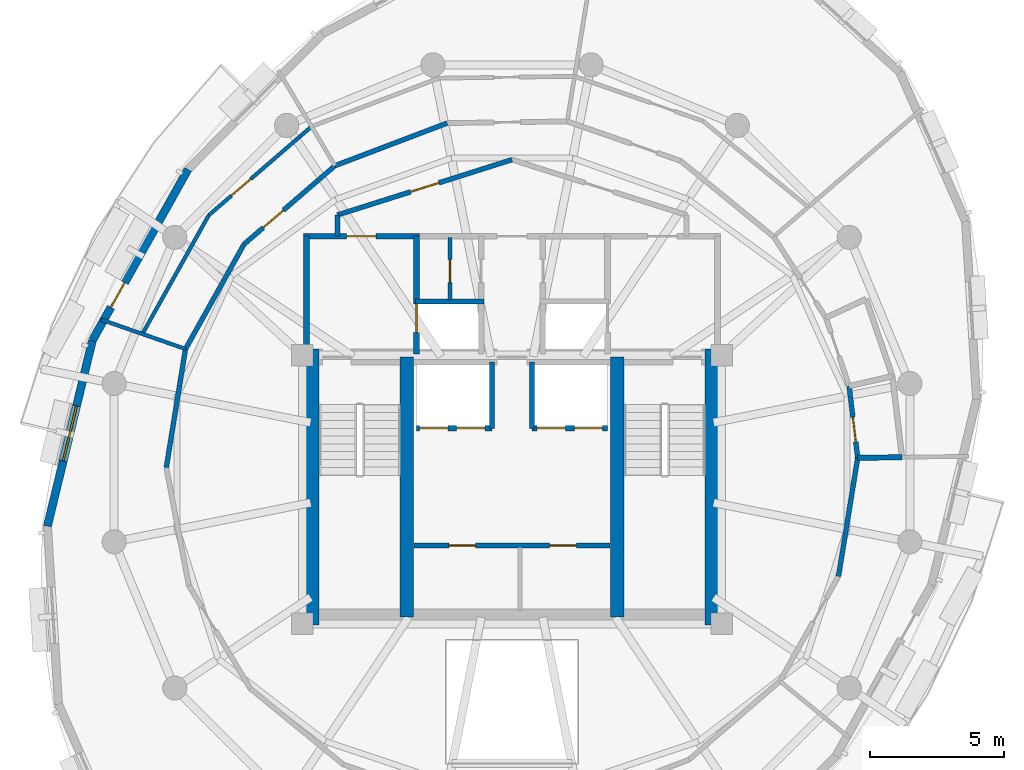
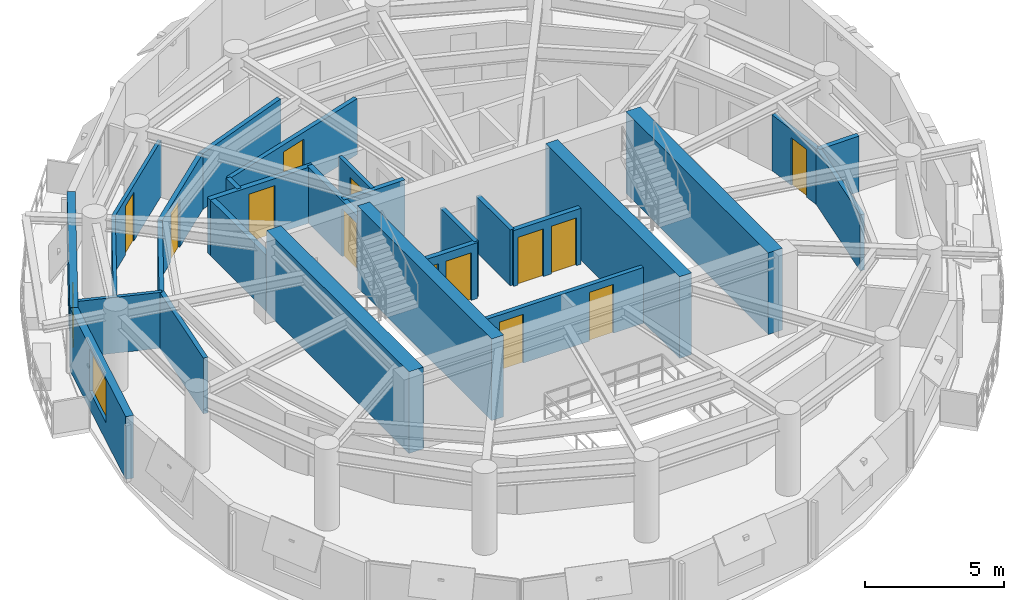
# One storey, part 7 of 11: 28 walls, 14 doors, 1 window, 15 openings.
"""IFC4 building model written with IfcOpenShell, lengths in metres."""

from ifc_helpers import new_model, si_unit, direction, frame, frame_2d, origin, place, context, subcontext, project, spatial, rectangle, extrude, material, layer, layer_set, type_object, element, fill, save


model = new_model("IFC4")

# Units and contexts
model_context = context("Model", 3, precision=1e-05, world=origin(), true_north=direction((0.0, 1.0)))
body_context = subcontext(model_context, "Body", "Model", "MODEL_VIEW")
ifc_project = project(units=[si_unit("LENGTHUNIT", "METRE"), si_unit("AREAUNIT", "SQUARE_METRE"), si_unit("VOLUMEUNIT", "CUBIC_METRE"), si_unit("PLANEANGLEUNIT", "RADIAN"), si_unit("MASSUNIT", "GRAM", prefix="KILO"), si_unit("THERMODYNAMICTEMPERATUREUNIT", "KELVIN"), si_unit("POWERUNIT", "WATT")], contexts=[model_context])

# Site, building, storey
site_placement = place(None, origin())
site = spatial("IfcSite", under=ifc_project, at=site_placement, CompositionType="ELEMENT")
building_placement = place(site_placement, origin())
building = spatial("IfcBuilding", under=site, at=building_placement, Name="Ocrelia Relay Tower", CompositionType="ELEMENT")
storey_placement = place(building_placement, frame((0.0, 0.0, 280.800048828125)))
storey = spatial("IfcBuildingStorey", under=building, at=storey_placement, Name="L70", CompositionType="ELEMENT", Elevation=280.800048828125)

# Walls
ifc_material_1 = material(Name="Concrete C50/60", Category="concrete")
ifc_layer_1 = layer(ifc_material_1, 0.60009765625, Name="Concrete C50/60")
ifc_layer_set_1 = layer_set([ifc_layer_1], Name="Concrete C50/60")
wall_type_1 = type_object("IfcWallType", Name="CW-CORE-600B", PredefinedType="SHEAR", material=ifc_layer_set_1)
for number, where, z_axis, x_axis, name in (
    (1, (26.52197265625, 19.9619140625, 0.0), (0.0, 0.0, 1.0), (0.0, 1.0, 0.0), "L70 Core Shear Wall W"),
    (2, (41.488037109375, 19.9619140625, 0.0), (0.0, 0.0, 1.0), (0.0, 1.0, 0.0), "L70 Core Shear Wall E"),
):
    element("IfcWall", number, at=place(storey_placement, frame(where, z_axis=z_axis, x_axis=x_axis)), inside=storey, type_object=wall_type_1, Name=name, PredefinedType="SHEAR", context=body_context, shape_type="SweptSolid", body=[
        extrude(rectangle(XDim=10.276123046875, YDim=0.60009765625, at=frame_2d((5.13818359375, 0.0))), origin(), (0.0, 0.0, 1.0), 3.599853515625),
    ])
for number, where, z_axis, x_axis, name in (
    (3, (30.087890625, 20.261962890625, 0.0), (0.0, 0.0, 1.0), (0.0, 1.0, 0.0), "L70 Core Shear Wall SPW"),
    (4, (37.922119140625, 20.261962890625, 0.0), (0.0, 0.0, 1.0), (0.0, 1.0, 0.0), "L70 Core Shear Wall SPE"),
):
    element("IfcWall", number, at=place(storey_placement, frame(where, z_axis=z_axis, x_axis=x_axis)), inside=storey, type_object=wall_type_1, Name=name, PredefinedType="SHEAR", context=body_context, shape_type="SweptSolid", body=[
        extrude(rectangle(XDim=9.676025390625, YDim=0.5, at=frame_2d((4.837890625, 0.0))), origin(), (0.0, 0.0, 1.0), 3.599853515625),
    ])

# Wall, openings, doors
ifc_material_2 = material(Name="Gypsum Fireboard Partition EI60", Category="gypsum")
ifc_layer_2 = layer(ifc_material_2, 0.179931640625, Name="Gypsum Fireboard Partition EI60")
ifc_layer_set_2 = layer_set([ifc_layer_2], Name="Gypsum Fireboard Partition EI60")
wall_type_2 = type_object("IfcWallType", Name="W-CORR-EI60-180", PredefinedType="PARTITIONING", material=ifc_layer_set_2)
wall_1_placement = place(storey_placement, frame((30.35009765625, 22.919921875, 0.0), z_axis=(0.0, 0.0, 1.0), x_axis=(1.0, 0.0, 0.0)))
wall_1 = element("IfcWall", 5, at=wall_1_placement, inside=storey, type_object=wall_type_2, Name="L70 Reclaimed Core Room Partition", PredefinedType="PARTITIONING", context=body_context, shape_type="SweptSolid", body=[
    extrude(rectangle(XDim=7.2998046875, YDim=0.179931640625, at=frame_2d((3.64990234375, 0.0))), origin(), (0.0, 0.0, 1.0), 2.4599609375),
])
opening_1_placement = place(wall_1_placement, frame((1.300048828125, 0.0, 0.0)))
opening_1 = element("IfcOpeningElement", 6, at=opening_1_placement, cuts=wall_1, Name="Opening D-RM100", PredefinedType="OPENING", context=body_context, shape_type="SweptSolid", body=[
    extrude(rectangle(XDim=1.0, YDim=2.14990234375, at=frame_2d((0.5, 1.074951171875))), frame((0.0, 0.10009765625, 0.0), z_axis=(0.0, -1.0, 0.0), x_axis=(1.0, 0.0, 0.0)), (0.0, 0.0, 1.0), 0.199951171875),
])
opening_2_placement = place(wall_1_placement, frame((5.050048828125, 0.0, 0.0)))
opening_2 = element("IfcOpeningElement", 7, at=opening_2_placement, cuts=wall_1, Name="Opening D-RM100", PredefinedType="OPENING", context=body_context, shape_type="SweptSolid", body=[
    extrude(rectangle(XDim=1.0, YDim=2.14990234375, at=frame_2d((0.5, 1.074951171875))), frame((0.0, 0.10009765625, 0.0), z_axis=(0.0, -1.0, 0.0), x_axis=(1.0, 0.0, 0.0)), (0.0, 0.0, 1.0), 0.199951171875),
])
ifc_material_3 = material(Name="Acoustic oak veneer fire door", Category="wood")
door_type_1 = type_object("IfcDoorType", Name="DR-ROOM-FD60-1000", OperationType="NOTDEFINED", PredefinedType="DOOR", material=ifc_material_3)
door_1_placement = place(opening_1_placement, origin())
door_1 = element("IfcDoor", 8, at=door_1_placement, inside=storey, type_object=door_type_1, Name="L70 Reclaimed Core Room 1 Door", OperationType="SINGLE_SWING_RIGHT", OverallHeight=2.14990234375, OverallWidth=1.0, PredefinedType="DOOR", context=body_context, shape_type="SweptSolid", body=[
    extrude(rectangle(XDim=1.0, YDim=2.14990234375, at=frame_2d((0.5, 1.074951171875))), frame((0.0, 0.02490234375, 0.0), z_axis=(0.0, -1.0, 0.0), x_axis=(1.0, 0.0, 0.0)), (0.0, 0.0, 1.0), 0.050048828125),
])
fill(opening_1, door_1)
door_2_placement = place(opening_2_placement, origin())
door_2 = element("IfcDoor", 9, at=door_2_placement, inside=storey, type_object=door_type_1, Name="L70 Reclaimed Core Room 2 Door", OperationType="SINGLE_SWING_LEFT", OverallHeight=2.14990234375, OverallWidth=1.0, PredefinedType="DOOR", context=body_context, shape_type="SweptSolid", body=[
    extrude(rectangle(XDim=1.0, YDim=2.14990234375, at=frame_2d((0.5, 1.074951171875))), frame((0.0, 0.02490234375, 0.0), z_axis=(0.0, -1.0, 0.0), x_axis=(1.0, 0.0, 0.0)), (0.0, 0.0, 1.0), 0.050048828125),
])
fill(opening_2, door_2)

# Wall
wall_2_placement = place(storey_placement, frame((27.5, 34.429931640625, 0.0), z_axis=(0.0, 0.0, 1.0), x_axis=(0.0, 1.0, 0.0)))
element("IfcWall", 10, at=wall_2_placement, inside=storey, type_object=wall_type_2, Name="L70 Smoke Lobby West Return", PredefinedType="PARTITIONING", context=body_context, shape_type="SweptSolid", body=[
    extrude(rectangle(XDim=0.7890625, YDim=0.179931640625, at=frame_2d((0.39453125, 0.0))), origin(), (0.0, 0.0, 1.0), 2.4599609375),
])

# Wall, opening, door
wall_3_placement = place(storey_placement, frame((27.5, 35.218994140625, 0.0), z_axis=(0.0, 0.0, 1.0), x_axis=(0.953228121756, 0.302251795518, 0.0)))
wall_3 = element("IfcWall", 11, at=wall_3_placement, inside=storey, type_object=wall_type_2, Name="L70 North Smoke Lobby W Screen Wall", PredefinedType="PARTITIONING", context=body_context, shape_type="SweptSolid", body=[
    extrude(rectangle(XDim=6.81884765625, YDim=0.179931640625, at=frame_2d((3.409423828125, 0.0))), origin(), (0.0, 0.0, 1.0), 2.4599609375),
])
opening_3_placement = place(wall_3_placement, frame((2.859619140625, 0.0, 0.0)))
opening_3 = element("IfcOpeningElement", 12, at=opening_3_placement, cuts=wall_3, Name="Opening D-FD60", PredefinedType="OPENING", context=body_context, shape_type="SweptSolid", body=[
    extrude(rectangle(XDim=1.10009765625, YDim=2.14990234375, at=frame_2d((0.550048828125, 1.074951171875))), frame((0.0, 0.10009765625, 0.0), z_axis=(0.0, -1.0, 0.0), x_axis=(1.0, 0.0, 0.0)), (0.0, 0.0, 1.0), 0.199951171875),
])
ifc_material_4 = material(Name="Timber-core 60-min acoustic fire door", Category="wood")
door_type_2 = type_object("IfcDoorType", Name="DR-LOBBY-FD60-1100", OperationType="NOTDEFINED", PredefinedType="DOOR", material=ifc_material_4)
door_3_placement = place(opening_3_placement, origin())
door_3 = element("IfcDoor", 13, at=door_3_placement, inside=storey, type_object=door_type_2, Name="L70 North Smoke Lobby W Fire Door", OperationType="SINGLE_SWING_RIGHT", OverallHeight=2.14990234375, OverallWidth=1.10009765625, PredefinedType="DOOR", context=body_context, shape_type="SweptSolid", body=[
    extrude(rectangle(XDim=1.10009765625, YDim=2.14990234375, at=frame_2d((0.550048828125, 1.074951171875))), frame((0.0, 0.02490234375, 0.0), z_axis=(0.0, -1.0, 0.0), x_axis=(1.0, 0.0, 0.0)), (0.0, 0.0, 1.0), 0.050048828125),
])
fill(opening_3, door_3)

wall_4_placement = place(storey_placement, frame((46.86865234375, 26.1796875, 0.0), z_axis=(0.0, 0.0, 1.0), x_axis=(-0.118325794927, 0.992974826597, 0.0)))
wall_4 = element("IfcWall", 14, at=wall_4_placement, inside=storey, type_object=wall_type_2, Name="L70 Staff Toilet Corridor Wall", PredefinedType="PARTITIONING", context=body_context, shape_type="SweptSolid", body=[
    extrude(rectangle(XDim=2.6904296875, YDim=0.179931640625, at=frame_2d((1.34521484375, 0.0))), origin(), (0.0, 0.0, 1.0), 2.4599609375),
])
opening_4_placement = place(wall_4_placement, frame((0.603271484375, 0.0, 0.0)))
opening_4 = element("IfcOpeningElement", 15, at=opening_4_placement, cuts=wall_4, Name="Opening D-WC92", PredefinedType="OPENING", context=body_context, shape_type="SweptSolid", body=[
    extrude(rectangle(XDim=0.919921875, YDim=2.10009765625, at=frame_2d((0.4599609375, 1.050048828125))), frame((0.0, 0.10009765625, 0.0), z_axis=(0.0, -1.0, 0.0), x_axis=(1.0, 0.0, 0.0)), (0.0, 0.0, 1.0), 0.199951171875),
])
ifc_material_5 = material(Name="Laminate washroom door", Category="wood")
door_type_3 = type_object("IfcDoorType", Name="DR-WC-920", OperationType="NOTDEFINED", PredefinedType="DOOR", material=ifc_material_5)
door_4_placement = place(opening_4_placement, origin())
door_4 = element("IfcDoor", 16, at=door_4_placement, inside=storey, type_object=door_type_3, Name="L70 Staff Toilet Door", OperationType="SINGLE_SWING_RIGHT", OverallHeight=2.10009765625, OverallWidth=0.919921875, PredefinedType="DOOR", context=body_context, shape_type="SweptSolid", body=[
    extrude(rectangle(XDim=0.919921875, YDim=2.10009765625, at=frame_2d((0.4599609375, 1.050048828125))), frame((0.0, 0.02490234375, 0.0), z_axis=(0.0, -1.0, 0.0), x_axis=(1.0, 0.0, 0.0)), (0.0, 0.0, 1.0), 0.050048828125),
])
fill(opening_4, door_4)

# Wall
wall_5_placement = place(storey_placement, frame((31.58837890625, 38.64208984375, 0.0), z_axis=(0.0, 0.0, 1.0), x_axis=(-0.934814409171, -0.355136622169, 0.0)))
element("IfcWall", 17, at=wall_5_placement, inside=storey, type_object=wall_type_2, Name="L70 Hospitality Banquet Room Corridor Partition 2", PredefinedType="PARTITIONING", context=body_context, shape_type="SweptSolid", body=[
    extrude(rectangle(XDim=4.4697265625, YDim=0.179931640625, at=frame_2d((2.23486328125, 0.0))), origin(), (0.0, 0.0, 1.0), 2.4599609375),
])

# Wall, opening, door
wall_6_placement = place(storey_placement, frame((27.409912109375, 37.0546875, 0.0), z_axis=(0.0, 0.0, 1.0), x_axis=(-0.756992481262, -0.653423586438, 0.0)))
wall_6 = element("IfcWall", 18, at=wall_6_placement, inside=storey, type_object=wall_type_2, Name="L70 Sommelier Servery Kitchen Corridor Partition 1", PredefinedType="PARTITIONING", context=body_context, shape_type="SweptSolid", body=[
    extrude(rectangle(XDim=4.469482421875, YDim=0.179931640625, at=frame_2d((2.23486328125, 0.0))), origin(), (0.0, 0.0, 1.0), 2.4599609375),
])
opening_5_placement = place(wall_6_placement, frame((2.52734375, 0.0, 0.0)))
opening_5 = element("IfcOpeningElement", 19, at=opening_5_placement, cuts=wall_6, Name="Opening D-RM100", PredefinedType="OPENING", context=body_context, shape_type="SweptSolid", body=[
    extrude(rectangle(XDim=1.0, YDim=2.14990234375, at=frame_2d((0.5, 1.074951171875))), frame((0.0, 0.10009765625, 0.0), z_axis=(0.0, -1.0, 0.0), x_axis=(1.0, 0.0, 0.0)), (0.0, 0.0, 1.0), 0.199951171875),
])
door_5_placement = place(opening_5_placement, origin())
door_5 = element("IfcDoor", 20, at=door_5_placement, inside=storey, type_object=door_type_1, Name="L70 Sommelier Servery Kitchen Entrance Door", OperationType="SINGLE_SWING_LEFT", OverallHeight=2.14990234375, OverallWidth=1.0, PredefinedType="DOOR", context=body_context, shape_type="SweptSolid", body=[
    extrude(rectangle(XDim=1.0, YDim=2.14990234375, at=frame_2d((0.5, 1.074951171875))), frame((0.0, 0.02490234375, 0.0), z_axis=(0.0, -1.0, 0.0), x_axis=(1.0, 0.0, 0.0)), (0.0, 0.0, 1.0), 0.050048828125),
])
fill(opening_5, door_5)

# Walls
wall_7_placement = place(storey_placement, frame((24.026611328125, 34.13427734375, 0.0), z_axis=(0.0, 0.0, 1.0), x_axis=(-0.487858082028, -0.872922958685, 0.0)))
element("IfcWall", 21, at=wall_7_placement, inside=storey, type_object=wall_type_2, Name="L70 Sommelier Servery Kitchen Corridor Partition 2", PredefinedType="PARTITIONING", context=body_context, shape_type="SweptSolid", body=[
    extrude(rectangle(XDim=4.469970703125, YDim=0.179931640625, at=frame_2d((2.23486328125, 0.0))), origin(), (0.0, 0.0, 1.0), 2.4599609375),
])
for number, where, z_axis, x_axis, name in (
    (22, (21.845947265625, 30.232421875, 0.0), (0.0, 0.0, 1.0), (-0.159879840986, -0.987136483191, 0.0), "L70 Diplomatic Protocol Foyer Corridor Partition 1"),
    (23, (46.154052734375, 21.767578125, 0.0), (0.0, 0.0, 1.0), (0.159879840986, 0.987136483191, 0.0), "L70 Technician Tea Pantry Corridor Partition 2"),
):
    element("IfcWall", number, at=place(storey_placement, frame(where, z_axis=z_axis, x_axis=x_axis)), inside=storey, type_object=wall_type_2, Name=name, PredefinedType="PARTITIONING", context=body_context, shape_type="SweptSolid", body=[
        extrude(rectangle(XDim=4.469482421875, YDim=0.179931640625, at=frame_2d((2.23486328125, 0.0))), origin(), (0.0, 0.0, 1.0), 2.4599609375),
    ])

# Wall, opening, door
ifc_material_6 = material(Name="Precast concrete C40/50 with oxide terracotta", Category="masonry")
ifc_layer_3 = layer(ifc_material_6, 0.300048828125, Name="Precast concrete C40/50 with oxide terracotta")
ifc_layer_set_3 = layer_set([ifc_layer_3], Name="Precast concrete C40/50 with oxide terracotta")
wall_type_3 = type_object("IfcWallType", Name="W-EXT-TERR-300", PredefinedType="SOLIDWALL", material=ifc_layer_set_3)
wall_8_placement = place(storey_placement, frame((21.9384765625, 36.91845703125, 0.0), z_axis=(0.0, 0.0, 1.0), x_axis=(-0.487861120846, -0.872921260348, 0.0)))
wall_8 = element("IfcWall", 24, at=wall_8_placement, inside=storey, type_object=wall_type_3, Name="L70 Oxide Terracotta Facade Wall 05", PredefinedType="SOLIDWALL", context=body_context, shape_type="SweptSolid", body=[
    extrude(rectangle(XDim=7.293212890625, YDim=0.300048828125, at=frame_2d((3.646484375, 0.0))), origin(), (0.0, 0.0, 1.0), 2.760009765625),
])
opening_6_placement = place(wall_8_placement, frame((4.830078125, 0.0, 0.0)))
opening_6 = element("IfcOpeningElement", 25, at=opening_6_placement, cuts=wall_8, Name="Opening DB-105", PredefinedType="OPENING", context=body_context, shape_type="SweptSolid", body=[
    extrude(rectangle(XDim=1.050048828125, YDim=2.14990234375, at=frame_2d((0.52490234375, 1.074951171875))), frame((0.0, 0.16015625, 0.0), z_axis=(0.0, -1.0, 0.0), x_axis=(1.0, 0.0, 0.0)), (0.0, 0.0, 1.0), 0.320068359375),
])
ifc_material_7 = material(Name="Thermally broken aluminium and clear glass", Category="aluminium")
door_type_4 = type_object("IfcDoorType", Name="DR-BALC-1050", OperationType="NOTDEFINED", PredefinedType="DOOR", material=ifc_material_7)
door_6_placement = place(opening_6_placement, origin())
door_6 = element("IfcDoor", 26, at=door_6_placement, inside=storey, type_object=door_type_4, Name="L70 Planted Loggia Balcony Door B1", OperationType="SINGLE_SWING_LEFT", OverallHeight=2.14990234375, OverallWidth=1.050048828125, PredefinedType="DOOR", context=body_context, shape_type="SweptSolid", body=[
    extrude(rectangle(XDim=1.050048828125, YDim=2.14990234375, at=frame_2d((0.52490234375, 1.074951171875))), frame((0.0, 0.02490234375, 0.0), z_axis=(0.0, -1.0, 0.0), x_axis=(1.0, 0.0, 0.0)), (0.0, 0.0, 1.0), 0.050048828125),
])
fill(opening_6, door_6)

# Wall, opening, window
wall_9_placement = place(storey_placement, frame((18.38037109375, 30.552001953125, 0.0), z_axis=(0.0, 0.0, 1.0), x_axis=(-0.235278882534, -0.971927902385, 0.0)))
wall_9 = element("IfcWall", 27, at=wall_9_placement, inside=storey, type_object=wall_type_3, Name="L70 Oxide Terracotta Facade Wall 06", PredefinedType="SOLIDWALL", context=body_context, shape_type="SweptSolid", body=[
    extrude(rectangle(XDim=7.115234375, YDim=0.300048828125, at=frame_2d((3.5576171875, 0.0))), origin(), (0.0, 0.0, 1.0), 2.760009765625),
])
opening_7_placement = place(wall_9_placement, frame((2.508056640625, 0.0, 0.800048828125)))
opening_7 = element("IfcOpeningElement", 28, at=opening_7_placement, cuts=wall_9, Name="Opening W-07", PredefinedType="OPENING", context=body_context, shape_type="SweptSolid", body=[
    extrude(rectangle(XDim=2.10009765625, YDim=1.85009765625, at=frame_2d((1.050048828125, 0.925048828125))), frame((0.0, 0.16015625, 0.0), z_axis=(0.0, -1.0, 0.0), x_axis=(1.0, 0.0, 0.0)), (0.0, 0.0, 1.0), 0.320068359375),
])
ifc_material_8 = material(Name="Clear double-glazed low-E glass", Category="glass")
window_type = type_object("IfcWindowType", Name="WIN-Z4-2100x2200", PartitioningType="DOUBLE_PANEL_VERTICAL", PredefinedType="WINDOW", material=ifc_material_8)
window_placement = place(opening_7_placement, origin())
window = element("IfcWindow", 29, at=window_placement, inside=storey, type_object=window_type, Name="L70 Facade Module Window 06", OverallHeight=1.85009765625, OverallWidth=2.10009765625, PartitioningType="SINGLE_PANEL", PredefinedType="WINDOW", context=body_context, shape_type="SweptSolid", body=[
    extrude(rectangle(XDim=2.10009765625, YDim=1.85009765625, at=frame_2d((1.050048828125, 0.925048828125))), frame((0.0, 0.030029296875, 0.0), z_axis=(0.0, -1.0, 0.0), x_axis=(1.0, 0.0, 0.0)), (0.0, 0.0, 1.0), 0.06005859375),
])
fill(opening_7, window)

# Wall
ifc_layer_4 = layer(ifc_material_1, 0.219970703125, Name="Concrete C50/60")
ifc_layer_set_4 = layer_set([ifc_layer_4], Name="Concrete C50/60")
wall_type_4 = type_object("IfcWallType", Name="W-FFL-EI120-220", PredefinedType="SOLIDWALL", material=ifc_layer_set_4)
wall_10_placement = place(storey_placement, frame((26.35009765625, 30.050048828125, 0.0), z_axis=(0.0, 0.0, 1.0), x_axis=(0.0, 1.0, 0.0)))
element("IfcWall", 30, at=wall_10_placement, inside=storey, type_object=wall_type_4, Name="L70 W Fire Service Lift Lobby West Wall", PredefinedType="SOLIDWALL", context=body_context, shape_type="SweptSolid", body=[
    extrude(rectangle(XDim=4.3798828125, YDim=0.219970703125, at=frame_2d((2.18994140625, 0.0))), origin(), (0.0, 0.0, 1.0), 2.4599609375),
])

# Wall, opening, door
wall_11_placement = place(storey_placement, frame((30.43994140625, 30.050048828125, 0.0), z_axis=(0.0, 0.0, 1.0), x_axis=(0.0, 1.0, 0.0)))
wall_11 = element("IfcWall", 31, at=wall_11_placement, inside=storey, type_object=wall_type_4, Name="L70 W Fire Service Lift Lobby East Wall", PredefinedType="SOLIDWALL", context=body_context, shape_type="SweptSolid", body=[
    extrude(rectangle(XDim=4.3798828125, YDim=0.219970703125, at=frame_2d((2.18994140625, 0.0))), origin(), (0.0, 0.0, 1.0), 2.4599609375),
])
opening_8_placement = place(wall_11_placement, frame((0.800048828125, 0.0, 0.0)))
opening_8 = element("IfcOpeningElement", 32, at=opening_8_placement, cuts=wall_11, Name="Opening LD-FFL1", PredefinedType="OPENING", context=body_context, shape_type="SweptSolid", body=[
    extrude(rectangle(XDim=1.050048828125, YDim=2.10009765625, at=frame_2d((0.52490234375, 1.050048828125))), frame((0.0, 0.1201171875, 0.0), z_axis=(0.0, -1.0, 0.0), x_axis=(1.0, 0.0, 0.0)), (0.0, 0.0, 1.0), 0.239990234375),
])
ifc_material_9 = material(Name="Brushed stainless steel S355 lift landing door", Category="steel")
door_type_5 = type_object("IfcDoorType", Name="DR-LIFT-LAND-1050", OperationType="DOUBLE_DOOR_SLIDING", PredefinedType="USERDEFINED", material=ifc_material_9)
door_7_placement = place(opening_8_placement, origin())
door_7 = element("IfcDoor", 33, at=door_7_placement, inside=storey, type_object=door_type_5, Name="L70 Firefighting Lift FFL1 Sliding Landing Door", ObjectType="LANDING DOOR", OperationType="DOUBLE_DOOR_SLIDING", OverallHeight=2.10009765625, OverallWidth=1.050048828125, PredefinedType="USERDEFINED", context=body_context, shape_type="SweptSolid", body=[
    extrude(rectangle(XDim=1.050048828125, YDim=2.10009765625, at=frame_2d((0.52490234375, 1.050048828125))), frame((0.0, 0.02490234375, 0.0), z_axis=(0.0, -1.0, 0.0), x_axis=(1.0, 0.0, 0.0)), (0.0, 0.0, 1.0), 0.050048828125),
])
fill(opening_8, door_7)

wall_12_placement = place(storey_placement, frame((26.239990234375, 34.429931640625, 0.0), z_axis=(0.0, 0.0, 1.0), x_axis=(1.0, 0.0, 0.0)))
wall_12 = element("IfcWall", 34, at=wall_12_placement, inside=storey, type_object=wall_type_4, Name="L70 W Fire Service Lift Lobby North Wall", PredefinedType="SOLIDWALL", context=body_context, shape_type="SweptSolid", body=[
    extrude(rectangle(XDim=4.31005859375, YDim=0.219970703125, at=frame_2d((2.155029296875, 0.0))), origin(), (0.0, 0.0, 1.0), 2.4599609375),
])
opening_9_placement = place(wall_12_placement, frame((1.60009765625, 0.0, 0.0)))
opening_9 = element("IfcOpeningElement", 35, at=opening_9_placement, cuts=wall_12, Name="Opening D-FD60", PredefinedType="OPENING", context=body_context, shape_type="SweptSolid", body=[
    extrude(rectangle(XDim=1.10009765625, YDim=2.14990234375, at=frame_2d((0.550048828125, 1.074951171875))), frame((0.0, 0.1201171875, 0.0), z_axis=(0.0, -1.0, 0.0), x_axis=(1.0, 0.0, 0.0)), (0.0, 0.0, 1.0), 0.239990234375),
])
door_8_placement = place(opening_9_placement, origin())
door_8 = element("IfcDoor", 36, at=door_8_placement, inside=storey, type_object=door_type_2, Name="L70 W Fire Service Lift Lobby Exit Door", OperationType="SINGLE_SWING_RIGHT", OverallHeight=2.14990234375, OverallWidth=1.10009765625, PredefinedType="DOOR", context=body_context, shape_type="SweptSolid", body=[
    extrude(rectangle(XDim=1.10009765625, YDim=2.14990234375, at=frame_2d((0.550048828125, 1.074951171875))), frame((0.0, 0.02490234375, 0.0), z_axis=(0.0, -1.0, 0.0), x_axis=(1.0, 0.0, 0.0)), (0.0, 0.0, 1.0), 0.050048828125),
])
fill(opening_9, door_8)

# Wall
ifc_material_10 = material(Name="Acoustic Fireboard Partition EI60", Category="gypsum")
ifc_layer_5 = layer(ifc_material_10, 0.139892578125, Name="Acoustic Fireboard Partition EI60")
ifc_layer_set_5 = layer_set([ifc_layer_5], Name="Acoustic Fireboard Partition EI60")
wall_type_5 = type_object("IfcWallType", Name="W-PART-140", PredefinedType="PARTITIONING", material=ifc_layer_set_5)
wall_13_placement = place(storey_placement, frame((21.845947265625, 30.232421875, 0.0), z_axis=(0.0, 0.0, 1.0), x_axis=(-0.944377092618, 0.328864572338, 0.0)))
element("IfcWall", 37, at=wall_13_placement, inside=storey, type_object=wall_type_5, Name="L70 Sommelier Servery Kitchen Radial Partition", PredefinedType="PARTITIONING", context=body_context, shape_type="SweptSolid", body=[
    extrude(rectangle(XDim=3.3310546875, YDim=0.139892578125, at=frame_2d((1.66552734375, 0.0))), origin(), (0.0, 0.0, 1.0), 2.4599609375),
])

# Wall, opening, door
wall_14_placement = place(storey_placement, frame((26.53955078125, 38.514892578125, 0.0), z_axis=(0.0, 0.0, 1.0), x_axis=(-0.757024760465, -0.653386189051, 0.0)))
wall_14 = element("IfcWall", 38, at=wall_14_placement, inside=storey, type_object=wall_type_5, Name="L70 Perimeter Sommelier Servery Kitchen Mid-Ring Partition 1", PredefinedType="PARTITIONING", context=body_context, shape_type="SweptSolid", body=[
    extrude(rectangle(XDim=5.06005859375, YDim=0.139892578125, at=frame_2d((2.530029296875, 0.0))), origin(), (0.0, 0.0, 1.0), 2.4599609375),
])
opening_10_placement = place(wall_14_placement, frame((2.992431640625, 0.0, 0.0)))
opening_10 = element("IfcOpeningElement", 39, at=opening_10_placement, cuts=wall_14, Name="Opening D-RM95", PredefinedType="OPENING", context=body_context, shape_type="SweptSolid", body=[
    extrude(rectangle(XDim=0.949951171875, YDim=2.14990234375, at=frame_2d((0.47509765625, 1.074951171875))), frame((0.0, 0.080078125, 0.0), z_axis=(0.0, -1.0, 0.0), x_axis=(1.0, 0.0, 0.0)), (0.0, 0.0, 1.0), 0.159912109375),
])
door_type_6 = type_object("IfcDoorType", Name="DR-ROOM-950", OperationType="NOTDEFINED", PredefinedType="DOOR", material=ifc_material_3)
door_9_placement = place(opening_10_placement, origin())
door_9 = element("IfcDoor", 40, at=door_9_placement, inside=storey, type_object=door_type_6, Name="L70 Perimeter Sommelier Servery Kitchen Connecting Door", OperationType="SINGLE_SWING_RIGHT", OverallHeight=2.14990234375, OverallWidth=0.949951171875, PredefinedType="DOOR", context=body_context, shape_type="SweptSolid", body=[
    extrude(rectangle(XDim=0.949951171875, YDim=2.14990234375, at=frame_2d((0.47509765625, 1.074951171875))), frame((0.0, 0.02490234375, 0.0), z_axis=(0.0, -1.0, 0.0), x_axis=(1.0, 0.0, 0.0)), (0.0, 0.0, 1.0), 0.050048828125),
])
fill(opening_10, door_9)

# Wall
wall_15_placement = place(storey_placement, frame((22.708984375, 35.208740234375, 0.0), z_axis=(0.0, 0.0, 1.0), x_axis=(-0.487828927105, -0.872939252113, 0.0)))
element("IfcWall", 41, at=wall_15_placement, inside=storey, type_object=wall_type_5, Name="L70 Perimeter Sommelier Servery Kitchen Mid-Ring Partition 2", PredefinedType="PARTITIONING", context=body_context, shape_type="SweptSolid", body=[
    extrude(rectangle(XDim=5.060302734375, YDim=0.139892578125, at=frame_2d((2.5302734375, 0.0))), origin(), (0.0, 0.0, 1.0), 2.4599609375),
])

# Wall, opening, door
ifc_layer_6 = layer(ifc_material_10, 0.14990234375, Name="Acoustic Fireboard Partition EI60")
ifc_layer_set_6 = layer_set([ifc_layer_6], Name="Acoustic Fireboard Partition EI60")
wall_type_6 = type_object("IfcWallType", Name="W-PART-150", PredefinedType="PARTITIONING", material=ifc_layer_set_6)
wall_16_placement = place(storey_placement, frame((31.68994140625, 32.050048828125, 0.0), z_axis=(0.0, 0.0, 1.0), x_axis=(0.0, 1.0, 0.0)))
wall_16 = element("IfcWall", 42, at=wall_16_placement, inside=storey, type_object=wall_type_6, Name="L70 West Core Support Partition", PredefinedType="PARTITIONING", context=body_context, shape_type="SweptSolid", body=[
    extrude(rectangle(XDim=2.329833984375, YDim=0.14990234375, at=frame_2d((1.1650390625, 0.0))), origin(), (0.0, 0.0, 1.0), 2.4599609375),
])
opening_11_placement = place(wall_16_placement, frame((0.64990234375, 0.0, 0.0)))
opening_11 = element("IfcOpeningElement", 43, at=opening_11_placement, cuts=wall_16, Name="Opening D-RS86", PredefinedType="OPENING", context=body_context, shape_type="SweptSolid", body=[
    extrude(rectangle(XDim=0.860107421875, YDim=2.050048828125, at=frame_2d((0.43017578125, 1.02490234375))), frame((0.0, 0.0849609375, 0.0), z_axis=(0.0, -1.0, 0.0), x_axis=(1.0, 0.0, 0.0)), (0.0, 0.0, 1.0), 0.169921875),
])
ifc_material_11 = material(Name="Steel S355 riser access fire door", Category="steel")
door_type_7 = type_object("IfcDoorType", Name="DR-RISER-TRAP-860", OperationType="NOTDEFINED", PredefinedType="TRAPDOOR", material=ifc_material_11)
door_10_placement = place(opening_11_placement, origin())
door_10 = element("IfcDoor", 44, at=door_10_placement, inside=storey, type_object=door_type_7, Name="L70 West Core Store Connecting Door", OperationType="SINGLE_SWING_LEFT", OverallHeight=2.050048828125, OverallWidth=0.860107421875, PredefinedType="TRAPDOOR", context=body_context, shape_type="SweptSolid", body=[
    extrude(rectangle(XDim=0.860107421875, YDim=2.050048828125, at=frame_2d((0.43017578125, 1.02490234375))), frame((0.0, 0.02490234375, 0.0), z_axis=(0.0, -1.0, 0.0), x_axis=(1.0, 0.0, 0.0)), (0.0, 0.0, 1.0), 0.050048828125),
])
fill(opening_11, door_10)

# Walls
ifc_material_12 = material(Name="Moisture-Resistant Fireboard Chase Wall EI60", Category="gypsum")
ifc_layer_7 = layer(ifc_material_12, 0.199951171875, Name="Moisture-Resistant Fireboard Chase Wall EI60")
ifc_layer_set_7 = layer_set([ifc_layer_7], Name="Moisture-Resistant Fireboard Chase Wall EI60")
wall_type_7 = type_object("IfcWallType", Name="W-PLUMB-200", PredefinedType="PLUMBINGWALL", material=ifc_layer_set_7)
wall_17_placement = place(storey_placement, frame((46.86865234375, 26.1796875, 0.0), z_axis=(0.0, 0.0, 1.0), x_axis=(0.999903277765, 0.013908095311, 0.0)))
element("IfcWall", 45, at=wall_17_placement, inside=storey, type_object=wall_type_7, Name="L70 Staff Toilet Plumbing Radial Wall", PredefinedType="PLUMBINGWALL", context=body_context, shape_type="SweptSolid", body=[
    extrude(rectangle(XDim=1.650146484375, YDim=0.199951171875, at=frame_2d((0.8251953125, 0.0))), origin(), (0.0, 0.0, 1.0), 2.4599609375),
])
ifc_layer_8 = layer(ifc_material_1, 0.199951171875, Name="Concrete C50/60")
ifc_layer_set_8 = layer_set([ifc_layer_8], Name="Concrete C50/60")
wall_type_8 = type_object("IfcWallType", Name="W-SHAFT-EI120-200", PredefinedType="SOLIDWALL", material=ifc_layer_set_8)
wall_18_placement = place(storey_placement, frame((30.39990234375, 32.0, 0.0), z_axis=(0.0, 0.0, 1.0), x_axis=(1.0, 0.0, 0.0)))
element("IfcWall", 46, at=wall_18_placement, inside=storey, type_object=wall_type_8, Name="L70 FFL1 Hoistway North Wall", PredefinedType="SOLIDWALL", context=body_context, shape_type="SweptSolid", body=[
    extrude(rectangle(XDim=2.550048828125, YDim=0.199951171875, at=frame_2d((1.27490234375, 0.0))), origin(), (0.0, 0.0, 1.0), 2.4599609375),
])

# Wall, openings, doors
wall_19_placement = place(storey_placement, frame((30.43994140625, 27.280029296875, 0.0), z_axis=(0.0, 0.0, 1.0), x_axis=(1.0, 0.0, 0.0)))
wall_19 = element("IfcWall", 47, at=wall_19_placement, inside=storey, type_object=wall_type_8, Name="L70 High-Rise Lift Hoistway Wall W", PredefinedType="SOLIDWALL", context=body_context, shape_type="SweptSolid", body=[
    extrude(rectangle(XDim=2.81005859375, YDim=0.199951171875, at=frame_2d((1.405029296875, 0.0))), origin(), (0.0, 0.0, 1.0), 2.4599609375),
])
opening_12_placement = place(wall_19_placement, frame((0.1201171875, 0.0, 0.0)))
opening_12 = element("IfcOpeningElement", 48, at=opening_12_placement, cuts=wall_19, Name="Opening LD-PL5", PredefinedType="OPENING", context=body_context, shape_type="SweptSolid", body=[
    extrude(rectangle(XDim=1.050048828125, YDim=2.10009765625, at=frame_2d((0.52490234375, 1.050048828125))), frame((0.0, 0.10986328125, 0.0), z_axis=(0.0, -1.0, 0.0), x_axis=(1.0, 0.0, 0.0)), (0.0, 0.0, 1.0), 0.219970703125),
])
opening_13_placement = place(wall_19_placement, frame((1.5, 0.0, 0.0)))
opening_13 = element("IfcOpeningElement", 49, at=opening_13_placement, cuts=wall_19, Name="Opening LD-PL6", PredefinedType="OPENING", context=body_context, shape_type="SweptSolid", body=[
    extrude(rectangle(XDim=1.050048828125, YDim=2.10009765625, at=frame_2d((0.52490234375, 1.050048828125))), frame((0.0, 0.10986328125, 0.0), z_axis=(0.0, -1.0, 0.0), x_axis=(1.0, 0.0, 0.0)), (0.0, 0.0, 1.0), 0.219970703125),
])
door_11_placement = place(opening_12_placement, origin())
door_11 = element("IfcDoor", 50, at=door_11_placement, inside=storey, type_object=door_type_5, Name="L70 High-Rise Lift PL5 Sliding Landing Door", ObjectType="LANDING DOOR", OperationType="DOUBLE_DOOR_SLIDING", OverallHeight=2.10009765625, OverallWidth=1.050048828125, PredefinedType="USERDEFINED", context=body_context, shape_type="SweptSolid", body=[
    extrude(rectangle(XDim=1.050048828125, YDim=2.10009765625, at=frame_2d((0.52490234375, 1.050048828125))), frame((0.0, 0.02490234375, 0.0), z_axis=(0.0, -1.0, 0.0), x_axis=(1.0, 0.0, 0.0)), (0.0, 0.0, 1.0), 0.050048828125),
])
fill(opening_12, door_11)
door_12_placement = place(opening_13_placement, origin())
door_12 = element("IfcDoor", 51, at=door_12_placement, inside=storey, type_object=door_type_5, Name="L70 High-Rise Lift PL6 Sliding Landing Door", ObjectType="LANDING DOOR", OperationType="DOUBLE_DOOR_SLIDING", OverallHeight=2.10009765625, OverallWidth=1.050048828125, PredefinedType="USERDEFINED", context=body_context, shape_type="SweptSolid", body=[
    extrude(rectangle(XDim=1.050048828125, YDim=2.10009765625, at=frame_2d((0.52490234375, 1.050048828125))), frame((0.0, 0.02490234375, 0.0), z_axis=(0.0, -1.0, 0.0), x_axis=(1.0, 0.0, 0.0)), (0.0, 0.0, 1.0), 0.050048828125),
])
fill(opening_13, door_12)

# Wall
wall_20_placement = place(storey_placement, frame((33.25, 27.280029296875, 0.0), z_axis=(0.0, 0.0, 1.0), x_axis=(0.0, 1.0, 0.0)))
element("IfcWall", 52, at=wall_20_placement, inside=storey, type_object=wall_type_8, Name="L70 High-Rise Lift Throat Wall W", PredefinedType="SOLIDWALL", context=body_context, shape_type="SweptSolid", body=[
    extrude(rectangle(XDim=2.469970703125, YDim=0.179931640625, at=frame_2d((1.23486328125, 0.0))), origin(), (0.0, 0.0, 1.0), 2.4599609375),
])

# Wall, openings, doors
wall_21_placement = place(storey_placement, frame((34.75, 27.280029296875, 0.0), z_axis=(0.0, 0.0, 1.0), x_axis=(1.0, 0.0, 0.0)))
wall_21 = element("IfcWall", 53, at=wall_21_placement, inside=storey, type_object=wall_type_8, Name="L70 High-Rise Lift Hoistway Wall E", PredefinedType="SOLIDWALL", context=body_context, shape_type="SweptSolid", body=[
    extrude(rectangle(XDim=2.81005859375, YDim=0.199951171875, at=frame_2d((1.405029296875, 0.0))), origin(), (0.0, 0.0, 1.0), 2.4599609375),
])
opening_14_placement = place(wall_21_placement, frame((0.18994140625, 0.0, 0.0)))
opening_14 = element("IfcOpeningElement", 54, at=opening_14_placement, cuts=wall_21, Name="Opening LD-PL7", PredefinedType="OPENING", context=body_context, shape_type="SweptSolid", body=[
    extrude(rectangle(XDim=1.050048828125, YDim=2.10009765625, at=frame_2d((0.52490234375, 1.050048828125))), frame((0.0, 0.10986328125, 0.0), z_axis=(0.0, -1.0, 0.0), x_axis=(1.0, 0.0, 0.0)), (0.0, 0.0, 1.0), 0.219970703125),
])
opening_15_placement = place(wall_21_placement, frame((1.570068359375, 0.0, 0.0)))
opening_15 = element("IfcOpeningElement", 55, at=opening_15_placement, cuts=wall_21, Name="Opening LD-PL8", PredefinedType="OPENING", context=body_context, shape_type="SweptSolid", body=[
    extrude(rectangle(XDim=1.050048828125, YDim=2.10009765625, at=frame_2d((0.52490234375, 1.050048828125))), frame((0.0, 0.10986328125, 0.0), z_axis=(0.0, -1.0, 0.0), x_axis=(1.0, 0.0, 0.0)), (0.0, 0.0, 1.0), 0.219970703125),
])
door_13_placement = place(opening_14_placement, origin())
door_13 = element("IfcDoor", 56, at=door_13_placement, inside=storey, type_object=door_type_5, Name="L70 High-Rise Lift PL7 Sliding Landing Door", ObjectType="LANDING DOOR", OperationType="DOUBLE_DOOR_SLIDING", OverallHeight=2.10009765625, OverallWidth=1.050048828125, PredefinedType="USERDEFINED", context=body_context, shape_type="SweptSolid", body=[
    extrude(rectangle(XDim=1.050048828125, YDim=2.10009765625, at=frame_2d((0.52490234375, 1.050048828125))), frame((0.0, 0.02490234375, 0.0), z_axis=(0.0, -1.0, 0.0), x_axis=(1.0, 0.0, 0.0)), (0.0, 0.0, 1.0), 0.050048828125),
])
fill(opening_14, door_13)
door_14_placement = place(opening_15_placement, origin())
door_14 = element("IfcDoor", 57, at=door_14_placement, inside=storey, type_object=door_type_5, Name="L70 High-Rise Lift PL8 Sliding Landing Door", ObjectType="LANDING DOOR", OperationType="DOUBLE_DOOR_SLIDING", OverallHeight=2.10009765625, OverallWidth=1.050048828125, PredefinedType="USERDEFINED", context=body_context, shape_type="SweptSolid", body=[
    extrude(rectangle(XDim=1.050048828125, YDim=2.10009765625, at=frame_2d((0.52490234375, 1.050048828125))), frame((0.0, 0.02490234375, 0.0), z_axis=(0.0, -1.0, 0.0), x_axis=(1.0, 0.0, 0.0)), (0.0, 0.0, 1.0), 0.050048828125),
])
fill(opening_15, door_14)

# Wall
wall_22_placement = place(storey_placement, frame((34.75, 27.280029296875, 0.0), z_axis=(0.0, 0.0, 1.0), x_axis=(0.0, 1.0, 0.0)))
element("IfcWall", 58, at=wall_22_placement, inside=storey, type_object=wall_type_8, Name="L70 High-Rise Lift Throat Wall E", PredefinedType="SOLIDWALL", context=body_context, shape_type="SweptSolid", body=[
    extrude(rectangle(XDim=2.469970703125, YDim=0.179931640625, at=frame_2d((1.23486328125, 0.0))), origin(), (0.0, 0.0, 1.0), 2.4599609375),
])

save(model, "model.ifc")
